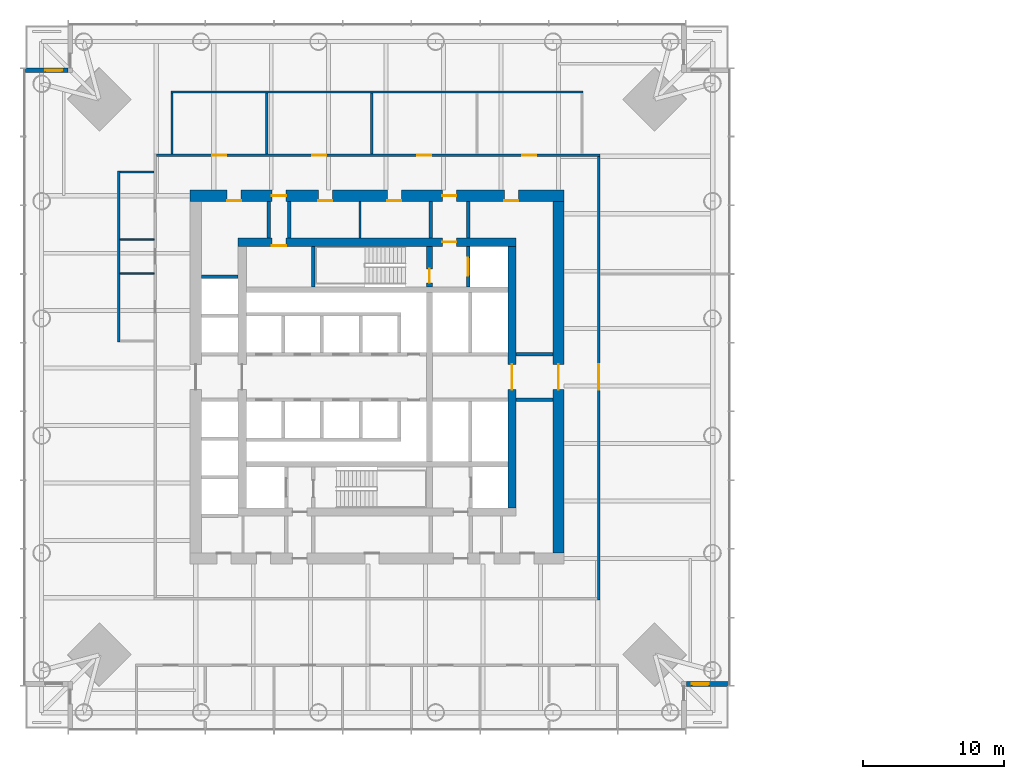
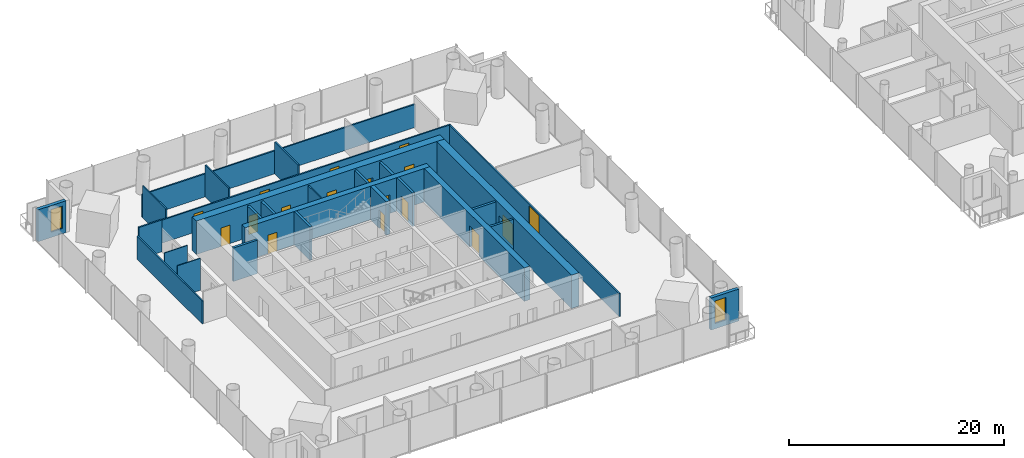
# One storey, part 11 of 19: 27 walls, 17 doors, 2 windows, 19 openings.
"""IFC4 building model written with IfcOpenShell, lengths in metres."""

import ifcopenshell
import ifcopenshell.guid

model = None  # the IFC model being written
_history = None  # IfcOwnerHistory: only IFC2X3 demands one
_inside = {}  # id of a spatial element -> (the spatial element, [elements in it])
_under = {}  # id of a project, library or spatial element -> (it, [spatial elements below it])
_declared = {}  # id of a project -> (the project, [libraries it declares])
_typed = {}  # id of a type object -> (the type object, [elements of that type])
_made_of = {}  # id of a material, layer set ... -> (it, [elements and type objects made of it])


def new_model(schema):
    """Start an empty IFC model of exactly this schema.

    Asked for "IFC4X3", IfcOpenShell would pick the latest addendum, in which some entities
    have other attributes; the version numbers below select the first issue.
    IFC2X3 requires an IfcOwnerHistory on every rooted entity: one is made here for all.
    """
    global model, _history
    if schema == "IFC4X3":
        model = ifcopenshell.file(schema_version=(4, 3, 0, 0))
    else:
        model = ifcopenshell.file(schema=schema)
    _inside.clear()
    _under.clear()
    _declared.clear()
    _typed.clear()
    _made_of.clear()
    _history = None
    if model.schema == "IFC2X3":
        org = make("IfcOrganization", Name="unknown")
        user = make(
            "IfcPersonAndOrganization",
            ThePerson=make("IfcPerson", FamilyName="unknown"),
            TheOrganization=org,
        )
        app = make(
            "IfcApplication",
            ApplicationDeveloper=org,
            Version="unknown",
            ApplicationFullName="unknown",
            ApplicationIdentifier="unknown",
        )
        _history = make(
            "IfcOwnerHistory",
            OwningUser=user,
            OwningApplication=app,
            ChangeAction="ADDED",
            CreationDate=0,
        )
    return model


def make(cls, **values):
    """One entity of the class cls with the attributes given. An attribute that is None is left unset."""
    return model.create_entity(
        cls, **{name: value for name, value in values.items() if value is not None}
    )


def rooted(cls, **values):
    """An entity with a GlobalId (a new one), such as an element, a storey or a relation."""
    return make(cls, GlobalId=ifcopenshell.guid.new(), OwnerHistory=_history, **values)


def si_unit(unit_type, name, prefix=None):
    """IfcSIUnit, for example si_unit("LENGTHUNIT", "METRE", prefix="MILLI")."""
    return make("IfcSIUnit", UnitType=unit_type, Prefix=prefix, Name=name)


def assignment(units):
    """IfcUnitAssignment: the units of a project."""
    return None if units is None else make("IfcUnitAssignment", Units=units)


def point(xyz):
    """IfcCartesianPoint."""
    return None if xyz is None else make("IfcCartesianPoint", Coordinates=xyz)


def direction(xyz):
    """IfcDirection."""
    return None if xyz is None else make("IfcDirection", DirectionRatios=xyz)


def frame(location, z_axis=None, x_axis=None):
    """IfcAxis2Placement3D, a coordinate frame: its origin and axes. An axis left out is left unset."""
    return make(
        "IfcAxis2Placement3D",
        Location=point(location),
        Axis=direction(z_axis),
        RefDirection=direction(x_axis),
    )


def frame_2d(location, x_axis=None):
    """IfcAxis2Placement2D, a coordinate frame in the plane: its origin and x axis."""
    return make(
        "IfcAxis2Placement2D", Location=point(location), RefDirection=direction(x_axis)
    )


def origin():
    """The frame at (0, 0, 0) with its axes left unset."""
    return frame((0.0, 0.0, 0.0))


def place(relative_to, where):
    """IfcLocalPlacement: puts the frame where relative to a parent placement (None: the world)."""
    return make(
        "IfcLocalPlacement", PlacementRelTo=relative_to, RelativePlacement=where
    )


def context(
    kind, dimensions, precision=None, world=None, true_north=None, identifier=None
):
    """IfcGeometricRepresentationContext, for example the 3D "Model" context."""
    return make(
        "IfcGeometricRepresentationContext",
        ContextIdentifier=identifier,
        ContextType=kind,
        CoordinateSpaceDimension=dimensions,
        Precision=precision,
        WorldCoordinateSystem=world,
        TrueNorth=true_north,
    )


def subcontext(parent, identifier, kind, view, scale=None):
    """IfcGeometricRepresentationSubContext, for example "Body" below "Model"."""
    return make(
        "IfcGeometricRepresentationSubContext",
        ContextIdentifier=identifier,
        ContextType=kind,
        ParentContext=parent,
        TargetScale=scale,
        TargetView=view,
    )


def project(units=None, contexts=None):
    """IfcProject with its units and contexts."""
    return rooted(
        "IfcProject",
        Name="project",
        RepresentationContexts=contexts,
        UnitsInContext=assignment(units),
    )


def spatial(cls, under=None, at=None, **own):
    """A site, building, storey or space (cls), placed at a placement, below another one or the project."""
    s = rooted(cls, ObjectPlacement=at, **own)
    if under is not None:
        _under.setdefault(under.id(), (under, []))[1].append(s)
    return s


def profile(cls, at=None, kind="AREA", **sizes):
    """A parametric profile (cls). Its sizes go by their IFC names, for example OverallWidth=200.0."""
    return make(cls, ProfileType=kind, Position=at, **sizes)


def rectangle(**sizes):
    """IfcRectangleProfileDef."""
    return profile("IfcRectangleProfileDef", **sizes)


def extrude(swept, where, along, depth):
    """IfcExtrudedAreaSolid: the profile swept, set in the frame where, extruded along a direction by depth."""
    return make(
        "IfcExtrudedAreaSolid",
        SweptArea=swept,
        Position=where,
        ExtrudedDirection=direction(along),
        Depth=depth,
    )


def shape(context_of_items, identifier, shape_type, items):
    """IfcShapeRepresentation: the items that make up one representation, for example the "Body"."""
    return make(
        "IfcShapeRepresentation",
        ContextOfItems=context_of_items,
        RepresentationIdentifier=identifier,
        RepresentationType=shape_type,
        Items=items,
    )


def material(Name=None, Category=None):
    """IfcMaterial."""
    return make("IfcMaterial", Name=Name, Category=Category)


def layer(
    of_material, thickness, ventilated=None, Name=None, Category=None, Priority=None
):
    """IfcMaterialLayer: one layer of a wall or slab, of a material (None: an air gap)."""
    return make(
        "IfcMaterialLayer",
        Material=of_material,
        LayerThickness=thickness,
        IsVentilated=ventilated,
        Name=Name,
        Category=Category,
        Priority=Priority,
    )


def layer_set(layers, Name=None):
    """IfcMaterialLayerSet."""
    return make("IfcMaterialLayerSet", MaterialLayers=layers, LayerSetName=Name)


def made_of(thing, what):
    """Note that an element or type object is made of a material, layer set ...; save() writes the relation."""
    if what is not None:
        _made_of.setdefault(what.id(), (what, []))[1].append(thing)
    return thing


def type_object(cls, material=None, **own):
    """A type object (cls), such as IfcWallType, which elements share."""
    return made_of(rooted(cls, **own), material)


def element(
    cls,
    number,
    at=None,
    inside=None,
    cuts=None,
    type_object=None,
    material=None,
    context=None,
    identifier="Body",
    shape_type=None,
    held_by="IfcProductDefinitionShape",
    body=None,
    shapes=None,
    **own,
):
    """One element of the class cls, such as IfcWall. Its Tag is "e" and its number.

    at: its placement. inside: the storey or other place that contains it. cuts: it is an
    opening in that element (IfcRelVoidsElement). A single representation is given by context,
    identifier, shape_type and body (its items); several are given by shapes. held_by: the class
    of the entity that holds the representations. save() writes the other relations.
    """
    e = rooted(cls, Tag="e%d" % number, ObjectPlacement=at, **own)
    if body is not None:
        shapes = [shape(context, identifier, shape_type, body)]
    if shapes is not None:
        e.Representation = make(held_by, Representations=shapes)
    if inside is not None:
        _inside.setdefault(inside.id(), (inside, []))[1].append(e)
    if cuts is not None:
        rooted(
            "IfcRelVoidsElement", RelatingBuildingElement=cuts, RelatedOpeningElement=e
        )
    if type_object is not None:
        _typed.setdefault(type_object.id(), (type_object, []))[1].append(e)
    return made_of(e, material)


def fill(opening, filler):
    """IfcRelFillsElement: the door or window that sits in an opening."""
    return rooted(
        "IfcRelFillsElement",
        RelatingOpeningElement=opening,
        RelatedBuildingElement=filler,
    )


def aggregate(whole, parts):
    """IfcRelAggregates: a whole, such as a stair, and the parts it consists of."""
    return rooted("IfcRelAggregates", RelatingObject=whole, RelatedObjects=parts)


def save(model, path):
    """Write the relations noted so far, then the file.

    IfcRelAggregates (storeys below a building ...), IfcRelContainedInSpatialStructure (elements
    in a storey), IfcRelDefinesByType, IfcRelAssociatesMaterial and IfcRelDeclares: one each for
    every whole, place, type object, material and project.
    """
    for whole, parts in _under.values():
        aggregate(whole, parts)
    for where, things in _inside.values():
        rooted(
            "IfcRelContainedInSpatialStructure",
            RelatedElements=things,
            RelatingStructure=where,
        )
    for kind, things in _typed.values():
        rooted("IfcRelDefinesByType", RelatedObjects=things, RelatingType=kind)
    for what, things in _made_of.values():
        rooted("IfcRelAssociatesMaterial", RelatedObjects=things, RelatingMaterial=what)
    for by, libraries in _declared.values():
        rooted("IfcRelDeclares", RelatingContext=by, RelatedDefinitions=libraries)
    model.write(path)


model = new_model("IFC4")

# Units and contexts
model_context = context("Model", 3, precision=1e-05, world=origin(), true_north=direction((0.0, 1.0)))
body_context = subcontext(model_context, "Body", "Model", "MODEL_VIEW")
ifc_project = project(units=[si_unit("LENGTHUNIT", "METRE"), si_unit("AREAUNIT", "SQUARE_METRE"), si_unit("VOLUMEUNIT", "CUBIC_METRE"), si_unit("PLANEANGLEUNIT", "RADIAN"), si_unit("MASSUNIT", "GRAM", prefix="KILO")], contexts=[model_context])

# Site, building, storey
site_placement = place(None, origin())
site = spatial("IfcSite", under=ifc_project, at=site_placement, CompositionType="ELEMENT")
building_placement = place(site_placement, origin())
building = spatial("IfcBuilding", under=site, at=building_placement, Name="Ostroluk Exchange", CompositionType="ELEMENT")
storey_placement = place(building_placement, frame((0.0, 0.0, 24.800048828125)))
storey = spatial("IfcBuildingStorey", under=building, at=storey_placement, Name="L05", CompositionType="ELEMENT", Elevation=24.800048828125)

# Walls
ifc_material_1 = material(Name="Concrete blockwork", Category="masonry")
ifc_layer_1 = layer(ifc_material_1, 0.10009765625)
ifc_layer_set_1 = layer_set([ifc_layer_1], Name="Blockwork WC wall 100")
wall_type_1 = type_object("IfcWallType", Name="Blockwork WC wall 100", PredefinedType="SOLIDWALL", material=ifc_layer_set_1)
for number, where, z_axis, x_axis, name in (
    (1, (29.14990234375, 55.77490234375, 0.0), (0.0, 0.0, 1.0), (-1.0, 0.0, 0.0), "Blockwork WC wall"),
    (2, (29.14990234375, 53.375, 0.0), (0.0, 0.0, 1.0), (-1.0, 0.0, 0.0), "Blockwork WC wall"),
):
    element("IfcWall", number, at=place(storey_placement, frame(where, z_axis=z_axis, x_axis=x_axis)), inside=storey, type_object=wall_type_1, Name=name, PredefinedType="SOLIDWALL", context=body_context, shape_type="SweptSolid", body=[
        extrude(rectangle(XDim=2.449951171875, YDim=0.10009765625, at=frame_2d((1.22509765625, 0.0))), origin(), (0.0, 0.0, 1.0), 3.619873046875),
    ])
ifc_material_2 = material(Name="Concrete blockwork", Category="masonry")
ifc_layer_2 = layer(ifc_material_2, 0.14990234375)
ifc_layer_set_2 = layer_set([ifc_layer_2], Name="Blockwork plant room wall 150")
wall_type_2 = type_object("IfcWallType", Name="Blockwork plant room wall 150", PredefinedType="SOLIDWALL", material=ifc_layer_set_2)
wall_1_placement = place(storey_placement, frame((43.777587890625, 55.89990234375, 0.0), z_axis=(0.0, 0.0, 1.0), x_axis=(0.0, 1.0, 0.0)))
element("IfcWall", 3, at=wall_1_placement, inside=storey, type_object=wall_type_2, Name="Core room wall", PredefinedType="SOLIDWALL", context=body_context, shape_type="SweptSolid", body=[
    extrude(rectangle(XDim=2.60009765625, YDim=0.14990234375, at=frame_2d((1.300048828125, 0.0))), origin(), (0.0, 0.0, 1.0), 3.619873046875),
])
ifc_material_3 = material(Name="Concrete blockwork", Category="masonry")
ifc_layer_3 = layer(ifc_material_3, 0.25)
ifc_layer_set_3 = layer_set([ifc_layer_3], Name="Blockwork stair enclosure wall 250")
wall_type_3 = type_object("IfcWallType", Name="Blockwork stair enclosure wall 250", PredefinedType="SOLIDWALL", material=ifc_layer_set_3)
for number, where, z_axis, x_axis, name in (
    (4, (48.804931640625, 55.89990234375, 0.0), (0.0, 0.0, 1.0), (0.0, 1.0, 0.0), "Fire lobby enclosure wall"),
    (5, (51.47509765625, 55.89990234375, 0.0), (0.0, 0.0, 1.0), (0.0, 1.0, 0.0), "Fire lobby enclosure wall"),
    (6, (54.89990234375, 44.375, 0.0), (0.0, 0.0, 1.0), (1.0, 0.0, 0.0), "Lift lobby enclosure wall"),
    (7, (54.89990234375, 47.625, 0.0), (0.0, 0.0, 1.0), (1.0, 0.0, 0.0), "Lift lobby enclosure wall"),
    (8, (37.300048828125, 55.89990234375, 0.0), (0.0, 0.0, 1.0), (0.0, 1.0, 0.0), "Core corridor wall"),
    (9, (38.75, 55.89990234375, 0.0), (0.0, 0.0, 1.0), (0.0, 1.0, 0.0), "Core corridor wall"),
):
    element("IfcWall", number, at=place(storey_placement, frame(where, z_axis=z_axis, x_axis=x_axis)), inside=storey, type_object=wall_type_3, Name=name, PredefinedType="SOLIDWALL", context=body_context, shape_type="SweptSolid", body=[
        extrude(rectangle(XDim=2.60009765625, YDim=0.25, at=frame_2d((1.300048828125, 0.0))), origin(), (0.0, 0.0, 1.0), 3.619873046875),
    ])

# Wall, opening, door
ifc_material_4 = material(Name="Concrete C50/60", Category="concrete")
ifc_layer_4 = layer(ifc_material_4, 0.39990234375)
ifc_layer_set_4 = layer_set([ifc_layer_4], Name="Core cross wall 400 C50/60")
wall_type_4 = type_object("IfcWallType", Name="Core cross wall 400 C50/60", PredefinedType="SHEAR", material=ifc_layer_set_4)
wall_2_placement = place(storey_placement, frame((48.72998046875, 52.39990234375, 0.0), z_axis=(0.0, 0.0, 1.0), x_axis=(0.0, 1.0, 0.0)))
wall_2 = element("IfcWall", 10, at=wall_2_placement, inside=storey, type_object=wall_type_4, Name="T1 core wall YE3", PredefinedType="SHEAR", context=body_context, shape_type="SweptSolid", body=[
    extrude(rectangle(XDim=2.900146484375, YDim=0.39990234375, at=frame_2d((1.4501953125, 0.0))), origin(), (0.0, 0.0, 1.0), 3.800048828125),
])
opening_1_placement = place(wall_2_placement, frame((0.300048828125, 0.0, 0.0)))
opening_1 = element("IfcOpeningElement", 11, at=opening_1_placement, cuts=wall_2, Name="Opening FD60", PredefinedType="OPENING", context=body_context, shape_type="SweptSolid", body=[
    extrude(rectangle(XDim=1.0, YDim=2.10009765625, at=frame_2d((0.5, 1.050048828125))), frame((0.0, 0.2099609375, 0.0), z_axis=(0.0, -1.0, 0.0), x_axis=(1.0, 0.0, 0.0)), (0.0, 0.0, 1.0), 0.419921875),
])
ifc_material_5 = material(Name="Steel", Category="steel")
door_type_1 = type_object("IfcDoorType", Name="Fire door EI 60 1000 x 2100", OperationType="SINGLE_SWING_LEFT", PredefinedType="DOOR", material=ifc_material_5)
door_1_placement = place(opening_1_placement, origin())
door_1 = element("IfcDoor", 12, at=door_1_placement, inside=storey, type_object=door_type_1, Name="Stair T1-S2 door", OperationType="SINGLE_SWING_LEFT", OverallHeight=2.10009765625, OverallWidth=1.0, PredefinedType="DOOR", context=body_context, shape_type="SweptSolid", body=[
    extrude(rectangle(XDim=1.0, YDim=2.10009765625, at=frame_2d((0.5, 1.050048828125))), frame((0.0, 0.02490234375, 0.0), z_axis=(0.0, -1.0, 0.0), x_axis=(1.0, 0.0, 0.0)), (0.0, 0.0, 1.0), 0.050048828125),
])
fill(opening_1, door_1)

# Wall
ifc_material_6 = material(Name="Concrete C40/50", Category="concrete")
ifc_layer_5 = layer(ifc_material_6, 0.25)
ifc_layer_set_5 = layer_set([ifc_layer_5], Name="Core shaft wall 250")
wall_type_5 = type_object("IfcWallType", Name="Core shaft wall 250", PredefinedType="SHEAR", material=ifc_layer_set_5)
wall_3_placement = place(storey_placement, frame((40.47509765625, 52.39990234375, 0.0), z_axis=(0.0, 0.0, 1.0), x_axis=(0.0, 1.0, 0.0)))
element("IfcWall", 13, at=wall_3_placement, inside=storey, type_object=wall_type_5, Name="Stair shaft wall", PredefinedType="SHEAR", context=body_context, shape_type="SweptSolid", body=[
    extrude(rectangle(XDim=2.900146484375, YDim=0.25, at=frame_2d((1.4501953125, 0.0))), origin(), (0.0, 0.0, 1.0), 3.800048828125),
])

# Wall, opening, door
wall_4_placement = place(storey_placement, frame((51.47509765625, 52.39990234375, 0.0), z_axis=(0.0, 0.0, 1.0), x_axis=(0.0, 1.0, 0.0)))
wall_4 = element("IfcWall", 14, at=wall_4_placement, inside=storey, type_object=wall_type_5, Name="Firefighting lift shaft wall", PredefinedType="SHEAR", context=body_context, shape_type="SweptSolid", body=[
    extrude(rectangle(XDim=2.900146484375, YDim=0.25, at=frame_2d((1.4501953125, 0.0))), origin(), (0.0, 0.0, 1.0), 3.800048828125),
])
opening_2_placement = place(wall_4_placement, frame((0.800048828125, 0.0, 0.0)))
opening_2 = element("IfcOpeningElement", 15, at=opening_2_placement, cuts=wall_4, Name="Opening LD2", PredefinedType="OPENING", context=body_context, shape_type="SweptSolid", body=[
    extrude(rectangle(XDim=1.300048828125, YDim=2.199951171875, at=frame_2d((0.64990234375, 1.10009765625))), frame((0.0, 0.135009765625, 0.0), z_axis=(0.0, -1.0, 0.0), x_axis=(1.0, 0.0, 0.0)), (0.0, 0.0, 1.0), 0.27001953125),
])
ifc_material_7 = material(Name="Stainless steel", Category="steel")
door_type_2 = type_object("IfcDoorType", Name="Lift landing door E 60 1300 x 2200", OperationType="DOUBLE_DOOR_SLIDING", PredefinedType="DOOR", material=ifc_material_7)
door_2_placement = place(opening_2_placement, origin())
door_2 = element("IfcDoor", 16, at=door_2_placement, inside=storey, type_object=door_type_2, Name="Lift FL2 landing door", OperationType="DOUBLE_DOOR_SLIDING", OverallHeight=2.199951171875, OverallWidth=1.300048828125, PredefinedType="DOOR", context=body_context, shape_type="SweptSolid", body=[
    extrude(rectangle(XDim=1.300048828125, YDim=2.199951171875, at=frame_2d((0.64990234375, 1.10009765625))), frame((0.0, 0.02490234375, 0.0), z_axis=(0.0, -1.0, 0.0), x_axis=(1.0, 0.0, 0.0)), (0.0, 0.0, 1.0), 0.050048828125),
])
fill(opening_2, door_2)

# Wall
wall_5_placement = place(storey_placement, frame((32.5, 53.125, 0.0), z_axis=(0.0, 0.0, 1.0), x_axis=(1.0, 0.0, 0.0)))
element("IfcWall", 17, at=wall_5_placement, inside=storey, type_object=wall_type_5, Name="Lift shaft wall", PredefinedType="SHEAR", context=body_context, shape_type="SweptSolid", body=[
    extrude(rectangle(XDim=2.60009765625, YDim=0.25, at=frame_2d((1.300048828125, 0.0))), origin(), (0.0, 0.0, 1.0), 3.800048828125),
])

# Wall, openings, doors
ifc_material_8 = material(Name="Concrete C50/60", Category="concrete")
ifc_layer_6 = layer(ifc_material_8, 0.60009765625)
ifc_layer_set_6 = layer_set([ifc_layer_6], Name="Core wall 600 C50/60")
wall_type_6 = type_object("IfcWallType", Name="Core wall 600 C50/60", PredefinedType="SHEAR", material=ifc_layer_set_6)
wall_6_placement = place(storey_placement, frame((35.10009765625, 55.60009765625, 0.0), z_axis=(0.0, 0.0, 1.0), x_axis=(1.0, 0.0, 0.0)))
wall_6 = element("IfcWall", 18, at=wall_6_placement, inside=storey, type_object=wall_type_6, Name="T1 core wall N", PredefinedType="SHEAR", context=body_context, shape_type="SweptSolid", body=[
    extrude(rectangle(XDim=19.7998046875, YDim=0.60009765625, at=frame_2d((9.89990234375, 0.0))), origin(), (0.0, 0.0, 1.0), 3.800048828125),
])
opening_3_placement = place(wall_6_placement, frame((14.5400390625, 0.0, 0.0)))
opening_3 = element("IfcOpeningElement", 19, at=opening_3_placement, cuts=wall_6, Name="Opening FD60", PredefinedType="OPENING", context=body_context, shape_type="SweptSolid", body=[
    extrude(rectangle(XDim=1.0, YDim=2.10009765625, at=frame_2d((0.5, 1.050048828125))), frame((0.0, 0.31005859375, 0.0), z_axis=(0.0, -1.0, 0.0), x_axis=(1.0, 0.0, 0.0)), (0.0, 0.0, 1.0), 0.6201171875),
])
opening_4_placement = place(wall_6_placement, frame((2.425048828125, 0.0, 0.0)))
opening_4 = element("IfcOpeningElement", 20, at=opening_4_placement, cuts=wall_6, Name="Opening FD60", PredefinedType="OPENING", context=body_context, shape_type="SweptSolid", body=[
    extrude(rectangle(XDim=1.0, YDim=2.10009765625, at=frame_2d((0.5, 1.050048828125))), frame((0.0, 0.31005859375, 0.0), z_axis=(0.0, -1.0, 0.0), x_axis=(1.0, 0.0, 0.0)), (0.0, 0.0, 1.0), 0.6201171875),
])
door_3_placement = place(opening_3_placement, origin())
door_3 = element("IfcDoor", 21, at=door_3_placement, inside=storey, type_object=door_type_1, Name="Firefighting lobby door", OperationType="SINGLE_SWING_RIGHT", OverallHeight=2.10009765625, OverallWidth=1.0, PredefinedType="DOOR", context=body_context, shape_type="SweptSolid", body=[
    extrude(rectangle(XDim=1.0, YDim=2.10009765625, at=frame_2d((0.5, 1.050048828125))), frame((0.0, 0.02490234375, 0.0), z_axis=(0.0, -1.0, 0.0), x_axis=(1.0, 0.0, 0.0)), (0.0, 0.0, 1.0), 0.050048828125),
])
fill(opening_3, door_3)
door_4_placement = place(opening_4_placement, origin())
door_4 = element("IfcDoor", 22, at=door_4_placement, inside=storey, type_object=door_type_1, Name="Tea point door", OperationType="SINGLE_SWING_LEFT", OverallHeight=2.10009765625, OverallWidth=1.0, PredefinedType="DOOR", context=body_context, shape_type="SweptSolid", body=[
    extrude(rectangle(XDim=1.0, YDim=2.10009765625, at=frame_2d((0.5, 1.050048828125))), frame((0.0, -0.23974609375, 0.0), z_axis=(0.0, -1.0, 0.0), x_axis=(1.0, 0.0, 0.0)), (0.0, 0.0, 1.0), 0.050048828125),
])
fill(opening_4, door_4)

# Wall, opening, door
wall_7_placement = place(storey_placement, frame((54.60009765625, 36.699951171875, 0.0), z_axis=(0.0, 0.0, 1.0), x_axis=(0.0, 1.0, 0.0)))
wall_7 = element("IfcWall", 23, at=wall_7_placement, inside=storey, type_object=wall_type_6, Name="T1 core wall E", PredefinedType="SHEAR", context=body_context, shape_type="SweptSolid", body=[
    extrude(rectangle(XDim=18.60009765625, YDim=0.60009765625, at=frame_2d((9.300048828125, 0.0))), origin(), (0.0, 0.0, 1.0), 3.800048828125),
])
opening_5_placement = place(wall_7_placement, frame((8.39990234375, 0.0, 0.0)))
opening_5 = element("IfcOpeningElement", 24, at=opening_5_placement, cuts=wall_7, Name="Opening FD30D", PredefinedType="OPENING", context=body_context, shape_type="SweptSolid", body=[
    extrude(rectangle(XDim=1.800048828125, YDim=2.39990234375, at=frame_2d((0.89990234375, 1.199951171875))), frame((0.0, 0.31005859375, 0.0), z_axis=(0.0, -1.0, 0.0), x_axis=(1.0, 0.0, 0.0)), (0.0, 0.0, 1.0), 0.6201171875),
])
ifc_material_9 = material(Name="Timber", Category="wood")
door_type_3 = type_object("IfcDoorType", Name="Lobby double door EI 30 1800 x 2400", OperationType="DOUBLE_DOOR_SINGLE_SWING", PredefinedType="DOOR", material=ifc_material_9)
door_5_placement = place(opening_5_placement, origin())
door_5 = element("IfcDoor", 25, at=door_5_placement, inside=storey, type_object=door_type_3, Name="Lift lobby doors", OperationType="DOUBLE_DOOR_SINGLE_SWING", OverallHeight=2.39990234375, OverallWidth=1.800048828125, PredefinedType="DOOR", context=body_context, shape_type="SweptSolid", body=[
    extrude(rectangle(XDim=1.800048828125, YDim=2.39990234375, at=frame_2d((0.89990234375, 1.199951171875))), frame((0.0, 0.02490234375, 0.0), z_axis=(0.0, -1.0, 0.0), x_axis=(1.0, 0.0, 0.0)), (0.0, 0.0, 1.0), 0.050048828125),
])
fill(opening_5, door_5)

# Wall, openings, doors
ifc_material_10 = material(Name="Concrete C50/60", Category="concrete")
ifc_layer_7 = layer(ifc_material_10, 0.800048828125)
ifc_layer_set_7 = layer_set([ifc_layer_7], Name="Core wall 800 C50/60")
wall_type_7 = type_object("IfcWallType", Name="Core wall 800 C50/60", PredefinedType="SHEAR", material=ifc_layer_set_7)
wall_8_placement = place(storey_placement, frame((31.699951171875, 58.89990234375, 0.0), z_axis=(0.0, 0.0, 1.0), x_axis=(1.0, 0.0, 0.0)))
wall_8 = element("IfcWall", 26, at=wall_8_placement, inside=storey, type_object=wall_type_7, Name="T1 core wall RN", PredefinedType="SHEAR", context=body_context, shape_type="SweptSolid", body=[
    extrude(rectangle(XDim=26.60009765625, YDim=0.800048828125, at=frame_2d((13.300048828125, 0.0))), origin(), (0.0, 0.0, 1.0), 3.800048828125),
])
opening_6_placement = place(wall_8_placement, frame((17.93994140625, 0.0, 0.0)))
opening_6 = element("IfcOpeningElement", 27, at=opening_6_placement, cuts=wall_8, Name="Opening FD60", PredefinedType="OPENING", context=body_context, shape_type="SweptSolid", body=[
    extrude(rectangle(XDim=1.0, YDim=2.10009765625, at=frame_2d((0.5, 1.050048828125))), frame((0.0, 0.409912109375, 0.0), z_axis=(0.0, -1.0, 0.0), x_axis=(1.0, 0.0, 0.0)), (0.0, 0.0, 1.0), 0.820068359375),
])
opening_7_placement = place(wall_8_placement, frame((5.824951171875, 0.0, 0.0)))
opening_7 = element("IfcOpeningElement", 28, at=opening_7_placement, cuts=wall_8, Name="Opening FD60", PredefinedType="OPENING", context=body_context, shape_type="SweptSolid", body=[
    extrude(rectangle(XDim=1.0, YDim=2.10009765625, at=frame_2d((0.5, 1.050048828125))), frame((0.0, 0.409912109375, 0.0), z_axis=(0.0, -1.0, 0.0), x_axis=(1.0, 0.0, 0.0)), (0.0, 0.0, 1.0), 0.820068359375),
])
opening_8_placement = place(wall_8_placement, frame((2.637451171875, 0.0, 0.0)))
opening_8 = element("IfcOpeningElement", 29, at=opening_8_placement, cuts=wall_8, Name="Opening FD60", PredefinedType="OPENING", context=body_context, shape_type="SweptSolid", body=[
    extrude(rectangle(XDim=1.0, YDim=2.10009765625, at=frame_2d((0.5, 1.050048828125))), frame((0.0, 0.409912109375, 0.0), z_axis=(0.0, -1.0, 0.0), x_axis=(1.0, 0.0, 0.0)), (0.0, 0.0, 1.0), 0.820068359375),
])
opening_9_placement = place(wall_8_placement, frame((9.126220703125, 0.0, 0.0)))
opening_9 = element("IfcOpeningElement", 30, at=opening_9_placement, cuts=wall_8, Name="Opening FD60", PredefinedType="OPENING", context=body_context, shape_type="SweptSolid", body=[
    extrude(rectangle(XDim=1.0, YDim=2.10009765625, at=frame_2d((0.5, 1.050048828125))), frame((0.0, 0.409912109375, 0.0), z_axis=(0.0, -1.0, 0.0), x_axis=(1.0, 0.0, 0.0)), (0.0, 0.0, 1.0), 0.820068359375),
])
opening_10_placement = place(wall_8_placement, frame((14.02880859375, 0.0, 0.0)))
opening_10 = element("IfcOpeningElement", 31, at=opening_10_placement, cuts=wall_8, Name="Opening FD60", PredefinedType="OPENING", context=body_context, shape_type="SweptSolid", body=[
    extrude(rectangle(XDim=1.0, YDim=2.10009765625, at=frame_2d((0.5, 1.050048828125))), frame((0.0, 0.409912109375, 0.0), z_axis=(0.0, -1.0, 0.0), x_axis=(1.0, 0.0, 0.0)), (0.0, 0.0, 1.0), 0.820068359375),
])
opening_11_placement = place(wall_8_placement, frame((22.35009765625, 0.0, 0.0)))
opening_11 = element("IfcOpeningElement", 32, at=opening_11_placement, cuts=wall_8, Name="Opening FD60", PredefinedType="OPENING", context=body_context, shape_type="SweptSolid", body=[
    extrude(rectangle(XDim=1.0, YDim=2.10009765625, at=frame_2d((0.5, 1.050048828125))), frame((0.0, 0.409912109375, 0.0), z_axis=(0.0, -1.0, 0.0), x_axis=(1.0, 0.0, 0.0)), (0.0, 0.0, 1.0), 0.820068359375),
])
door_6_placement = place(opening_6_placement, origin())
door_6 = element("IfcDoor", 33, at=door_6_placement, inside=storey, type_object=door_type_1, Name="Firefighting lobby door", OperationType="SINGLE_SWING_RIGHT", OverallHeight=2.10009765625, OverallWidth=1.0, PredefinedType="DOOR", context=body_context, shape_type="SweptSolid", body=[
    extrude(rectangle(XDim=1.0, YDim=2.10009765625, at=frame_2d((0.5, 1.050048828125))), frame((0.0, 0.02490234375, 0.0), z_axis=(0.0, -1.0, 0.0), x_axis=(1.0, 0.0, 0.0)), (0.0, 0.0, 1.0), 0.050048828125),
])
fill(opening_6, door_6)
door_7_placement = place(opening_7_placement, origin())
door_7 = element("IfcDoor", 34, at=door_7_placement, inside=storey, type_object=door_type_1, Name="Core corridor door", OperationType="SINGLE_SWING_LEFT", OverallHeight=2.10009765625, OverallWidth=1.0, PredefinedType="DOOR", context=body_context, shape_type="SweptSolid", body=[
    extrude(rectangle(XDim=1.0, YDim=2.10009765625, at=frame_2d((0.5, 1.050048828125))), frame((0.0, 0.02490234375, 0.0), z_axis=(0.0, -1.0, 0.0), x_axis=(1.0, 0.0, 0.0)), (0.0, 0.0, 1.0), 0.050048828125),
])
fill(opening_7, door_7)
door_8_placement = place(opening_8_placement, origin())
door_8 = element("IfcDoor", 35, at=door_8_placement, inside=storey, type_object=door_type_1, Name="Tenant IT room door", OperationType="SINGLE_SWING_LEFT", OverallHeight=2.10009765625, OverallWidth=1.0, PredefinedType="DOOR", context=body_context, shape_type="SweptSolid", body=[
    extrude(rectangle(XDim=1.0, YDim=2.10009765625, at=frame_2d((0.5, 1.050048828125))), frame((0.0, -0.33984375, 0.0), z_axis=(0.0, -1.0, 0.0), x_axis=(1.0, 0.0, 0.0)), (0.0, 0.0, 1.0), 0.050048828125),
])
fill(opening_8, door_8)
door_9_placement = place(opening_9_placement, origin())
door_9 = element("IfcDoor", 36, at=door_9_placement, inside=storey, type_object=door_type_1, Name="Print and post room door", OperationType="SINGLE_SWING_LEFT", OverallHeight=2.10009765625, OverallWidth=1.0, PredefinedType="DOOR", context=body_context, shape_type="SweptSolid", body=[
    extrude(rectangle(XDim=1.0, YDim=2.10009765625, at=frame_2d((0.5, 1.050048828125))), frame((0.0, -0.33984375, 0.0), z_axis=(0.0, -1.0, 0.0), x_axis=(1.0, 0.0, 0.0)), (0.0, 0.0, 1.0), 0.050048828125),
])
fill(opening_9, door_9)
door_10_placement = place(opening_10_placement, origin())
door_10 = element("IfcDoor", 37, at=door_10_placement, inside=storey, type_object=door_type_1, Name="Archive door", OperationType="SINGLE_SWING_RIGHT", OverallHeight=2.10009765625, OverallWidth=1.0, PredefinedType="DOOR", context=body_context, shape_type="SweptSolid", body=[
    extrude(rectangle(XDim=1.0, YDim=2.10009765625, at=frame_2d((0.5, 1.050048828125))), frame((0.0, -0.33984375, 0.0), z_axis=(0.0, -1.0, 0.0), x_axis=(1.0, 0.0, 0.0)), (0.0, 0.0, 1.0), 0.050048828125),
])
fill(opening_10, door_10)
door_11_placement = place(opening_11_placement, origin())
door_11 = element("IfcDoor", 38, at=door_11_placement, inside=storey, type_object=door_type_1, Name="First aid room door", OperationType="SINGLE_SWING_RIGHT", OverallHeight=2.10009765625, OverallWidth=1.0, PredefinedType="DOOR", context=body_context, shape_type="SweptSolid", body=[
    extrude(rectangle(XDim=1.0, YDim=2.10009765625, at=frame_2d((0.5, 1.050048828125))), frame((0.0, -0.33984375, 0.0), z_axis=(0.0, -1.0, 0.0), x_axis=(1.0, 0.0, 0.0)), (0.0, 0.0, 1.0), 0.050048828125),
])
fill(opening_11, door_11)

# Wall, opening, door
wall_9_placement = place(storey_placement, frame((57.89990234375, 33.5, 0.0), z_axis=(0.0, 0.0, 1.0), x_axis=(0.0, 1.0, 0.0)))
wall_9 = element("IfcWall", 39, at=wall_9_placement, inside=storey, type_object=wall_type_7, Name="T1 core wall RE", PredefinedType="SHEAR", context=body_context, shape_type="SweptSolid", body=[
    extrude(rectangle(XDim=25.0, YDim=0.800048828125, at=frame_2d((12.5, 0.0))), origin(), (0.0, 0.0, 1.0), 3.800048828125),
])
opening_12_placement = place(wall_9_placement, frame((11.60009765625, 0.0, 0.0)))
opening_12 = element("IfcOpeningElement", 40, at=opening_12_placement, cuts=wall_9, Name="Opening FD30D", PredefinedType="OPENING", context=body_context, shape_type="SweptSolid", body=[
    extrude(rectangle(XDim=1.800048828125, YDim=2.39990234375, at=frame_2d((0.89990234375, 1.199951171875))), frame((0.0, 0.409912109375, 0.0), z_axis=(0.0, -1.0, 0.0), x_axis=(1.0, 0.0, 0.0)), (0.0, 0.0, 1.0), 0.820068359375),
])
door_12_placement = place(opening_12_placement, origin())
door_12 = element("IfcDoor", 41, at=door_12_placement, inside=storey, type_object=door_type_3, Name="Lift lobby doors", OperationType="DOUBLE_DOOR_SINGLE_SWING", OverallHeight=2.39990234375, OverallWidth=1.800048828125, PredefinedType="DOOR", context=body_context, shape_type="SweptSolid", body=[
    extrude(rectangle(XDim=1.800048828125, YDim=2.39990234375, at=frame_2d((0.89990234375, 1.199951171875))), frame((0.0, 0.02490234375, 0.0), z_axis=(0.0, -1.0, 0.0), x_axis=(1.0, 0.0, 0.0)), (0.0, 0.0, 1.0), 0.050048828125),
])
fill(opening_12, door_12)

# Wall, opening, window
ifc_material_11 = material(Name="Limestone", Category="masonry")
ifc_layer_8 = layer(ifc_material_11, 0.35009765625)
ifc_layer_set_8 = layer_set([ifc_layer_8], Name="Limestone facade wall 350")
wall_type_8 = type_object("IfcWallType", Name="Limestone facade wall 350", PredefinedType="SOLIDWALL", material=ifc_layer_set_8)
wall_10_placement = place(storey_placement, frame((67.0, 24.175048828125, 0.0), z_axis=(0.0, 0.0, 1.0), x_axis=(1.0, 0.0, 0.0)))
wall_10 = element("IfcWall", 42, at=wall_10_placement, inside=storey, type_object=wall_type_8, Name="Office tower SE corner wall L05 b", PredefinedType="SOLIDWALL", context=body_context, shape_type="SweptSolid", body=[
    extrude(rectangle(XDim=3.0, YDim=0.35009765625, at=frame_2d((1.5, 0.0))), origin(), (0.0, 0.0, 1.0), 3.619873046875),
])
opening_13_placement = place(wall_10_placement, frame((0.39990234375, 0.0, 0.60009765625)))
opening_13 = element("IfcOpeningElement", 43, at=opening_13_placement, cuts=wall_10, Name="Opening WN-L1", PredefinedType="OPENING", context=body_context, shape_type="SweptSolid", body=[
    extrude(rectangle(XDim=1.199951171875, YDim=2.550048828125, at=frame_2d((0.60009765625, 1.27490234375))), frame((0.0, 0.18505859375, 0.0), z_axis=(0.0, -1.0, 0.0), x_axis=(1.0, 0.0, 0.0)), (0.0, 0.0, 1.0), 0.3701171875),
])
ifc_material_12 = material(Name="Laminated clear glass", Category="glass")
window_type = type_object("IfcWindowType", Name="Lancet window 1200 x 2550", PartitioningType="SINGLE_PANEL", PredefinedType="WINDOW", material=ifc_material_12)
window_1_placement = place(opening_13_placement, origin())
window_1 = element("IfcWindow", 44, at=window_1_placement, inside=storey, type_object=window_type, Name="Office tower SE lancet window L05", OverallHeight=2.550048828125, OverallWidth=1.199951171875, PartitioningType="SINGLE_PANEL", PredefinedType="WINDOW", context=body_context, shape_type="SweptSolid", body=[
    extrude(rectangle(XDim=1.199951171875, YDim=2.550048828125, at=frame_2d((0.60009765625, 1.27490234375))), frame((0.0, 0.030029296875, 0.0), z_axis=(0.0, -1.0, 0.0), x_axis=(1.0, 0.0, 0.0)), (0.0, 0.0, 1.0), 0.06005859375),
])
fill(opening_13, window_1)

wall_11_placement = place(storey_placement, frame((23.0, 67.824951171875, 0.0), z_axis=(0.0, 0.0, 1.0), x_axis=(-1.0, 0.0, 0.0)))
wall_11 = element("IfcWall", 45, at=wall_11_placement, inside=storey, type_object=wall_type_8, Name="Office tower NW corner wall L05 b", PredefinedType="SOLIDWALL", context=body_context, shape_type="SweptSolid", body=[
    extrude(rectangle(XDim=3.0, YDim=0.35009765625, at=frame_2d((1.5, 0.0))), origin(), (0.0, 0.0, 1.0), 3.619873046875),
])
opening_14_placement = place(wall_11_placement, frame((0.39990234375, 0.0, 0.60009765625)))
opening_14 = element("IfcOpeningElement", 46, at=opening_14_placement, cuts=wall_11, Name="Opening WN-L1", PredefinedType="OPENING", context=body_context, shape_type="SweptSolid", body=[
    extrude(rectangle(XDim=1.199951171875, YDim=2.550048828125, at=frame_2d((0.60009765625, 1.27490234375))), frame((0.0, 0.18505859375, 0.0), z_axis=(0.0, -1.0, 0.0), x_axis=(1.0, 0.0, 0.0)), (0.0, 0.0, 1.0), 0.3701171875),
])
window_2_placement = place(opening_14_placement, origin())
window_2 = element("IfcWindow", 47, at=window_2_placement, inside=storey, type_object=window_type, Name="Office tower NW lancet window L05", OverallHeight=2.550048828125, OverallWidth=1.199951171875, PartitioningType="SINGLE_PANEL", PredefinedType="WINDOW", context=body_context, shape_type="SweptSolid", body=[
    extrude(rectangle(XDim=1.199951171875, YDim=2.550048828125, at=frame_2d((0.60009765625, 1.27490234375))), frame((0.0, 0.030029296875, 0.0), z_axis=(0.0, -1.0, 0.0), x_axis=(1.0, 0.0, 0.0)), (0.0, 0.0, 1.0), 0.06005859375),
])
fill(opening_14, window_2)

# Walls
ifc_material_13 = material(Name="Gypsum plasterboard partition", Category="gypsum")
ifc_layer_9 = layer(ifc_material_13, 0.14990234375)
ifc_layer_set_9 = layer_set([ifc_layer_9], Name="Plasterboard partition 150")
wall_type_9 = type_object("IfcWallType", Name="Plasterboard partition 150", PredefinedType="PARTITIONING", material=ifc_layer_set_9)
for number, where, z_axis, x_axis, name in (
    (48, (44.626220703125, 61.85009765625, 0.0), (0.0, 0.0, 1.0), (0.0, 1.0, 0.0), "Partition"),
    (49, (37.15185546875, 61.85009765625, 0.0), (0.0, 0.0, 1.0), (0.0, 1.0, 0.0), "Partition"),
    (50, (30.425048828125, 61.85009765625, 0.0), (0.0, 0.0, 1.0), (0.0, 1.0, 0.0), "Partition"),
):
    element("IfcWall", number, at=place(storey_placement, frame(where, z_axis=z_axis, x_axis=x_axis)), inside=storey, type_object=wall_type_9, Name=name, PredefinedType="PARTITIONING", context=body_context, shape_type="SweptSolid", body=[
        extrude(rectangle(XDim=4.349853515625, YDim=0.14990234375, at=frame_2d((2.1748046875, 0.0))), origin(), (0.0, 0.0, 1.0), 3.619873046875),
    ])
wall_12_placement = place(storey_placement, frame((59.64990234375, 66.27490234375, 0.0), z_axis=(0.0, 0.0, 1.0), x_axis=(-1.0, 0.0, 0.0)))
element("IfcWall", 51, at=wall_12_placement, inside=storey, type_object=wall_type_9, Name="Partition", PredefinedType="PARTITIONING", context=body_context, shape_type="SweptSolid", body=[
    extrude(rectangle(XDim=29.2998046875, YDim=0.14990234375, at=frame_2d((14.64990234375, 0.0))), origin(), (0.0, 0.0, 1.0), 2.612060546875),
])

# Wall, opening, door
wall_13_placement = place(storey_placement, frame((60.77490234375, 30.14990234375, 0.0), z_axis=(0.0, 0.0, 1.0), x_axis=(0.0, 1.0, 0.0)))
wall_13 = element("IfcWall", 52, at=wall_13_placement, inside=storey, type_object=wall_type_9, Name="Corridor wall", PredefinedType="PARTITIONING", context=body_context, shape_type="SweptSolid", body=[
    extrude(rectangle(XDim=31.550048828125, YDim=0.14990234375, at=frame_2d((15.77490234375, 0.0))), origin(), (0.0, 0.0, 1.0), 2.612060546875),
])
opening_15_placement = place(wall_13_placement, frame((14.949951171875, 0.0, 0.0)))
opening_15 = element("IfcOpeningElement", 53, at=opening_15_placement, cuts=wall_13, Name="Opening D-04", PredefinedType="OPENING", context=body_context, shape_type="SweptSolid", body=[
    extrude(rectangle(XDim=1.800048828125, YDim=2.39990234375, at=frame_2d((0.89990234375, 1.199951171875))), frame((0.0, 0.0849609375, 0.0), z_axis=(0.0, -1.0, 0.0), x_axis=(1.0, 0.0, 0.0)), (0.0, 0.0, 1.0), 0.169921875),
])
ifc_material_14 = material(Name="Timber", Category="wood")
door_type_4 = type_object("IfcDoorType", Name="Double door 1800 x 2400", OperationType="DOUBLE_DOOR_SINGLE_SWING", PredefinedType="DOOR", material=ifc_material_14)
door_13_placement = place(opening_15_placement, origin())
door_13 = element("IfcDoor", 54, at=door_13_placement, inside=storey, type_object=door_type_4, Name="Open plan office door", OperationType="DOUBLE_DOOR_SINGLE_SWING", OverallHeight=2.39990234375, OverallWidth=1.800048828125, PredefinedType="DOOR", context=body_context, shape_type="SweptSolid", body=[
    extrude(rectangle(XDim=1.800048828125, YDim=2.39990234375, at=frame_2d((0.89990234375, 1.199951171875))), frame((0.0, 0.02490234375, 0.0), z_axis=(0.0, -1.0, 0.0), x_axis=(1.0, 0.0, 0.0)), (0.0, 0.0, 1.0), 0.050048828125),
])
fill(opening_15, door_13)

# Wall, openings, doors
wall_14_placement = place(storey_placement, frame((60.85009765625, 61.77490234375, 0.0), z_axis=(0.0, 0.0, 1.0), x_axis=(-1.0, 0.0, 0.0)))
wall_14 = element("IfcWall", 55, at=wall_14_placement, inside=storey, type_object=wall_type_9, Name="Corridor wall", PredefinedType="PARTITIONING", context=body_context, shape_type="SweptSolid", body=[
    extrude(rectangle(XDim=31.550048828125, YDim=0.14990234375, at=frame_2d((15.77490234375, 0.0))), origin(), (0.0, 0.0, 1.0), 2.612060546875),
])
opening_16_placement = place(wall_14_placement, frame((4.51220703125, 0.0, 0.0)))
opening_16 = element("IfcOpeningElement", 56, at=opening_16_placement, cuts=wall_14, Name="Opening D-03", PredefinedType="OPENING", context=body_context, shape_type="SweptSolid", body=[
    extrude(rectangle(XDim=1.0, YDim=2.10009765625, at=frame_2d((0.5, 1.050048828125))), frame((0.0, 0.0849609375, 0.0), z_axis=(0.0, -1.0, 0.0), x_axis=(1.0, 0.0, 0.0)), (0.0, 0.0, 1.0), 0.169921875),
])
opening_17_placement = place(wall_14_placement, frame((11.986572265625, 0.0, 0.0)))
opening_17 = element("IfcOpeningElement", 57, at=opening_17_placement, cuts=wall_14, Name="Opening D-03", PredefinedType="OPENING", context=body_context, shape_type="SweptSolid", body=[
    extrude(rectangle(XDim=1.0, YDim=2.10009765625, at=frame_2d((0.5, 1.050048828125))), frame((0.0, 0.0849609375, 0.0), z_axis=(0.0, -1.0, 0.0), x_axis=(1.0, 0.0, 0.0)), (0.0, 0.0, 1.0), 0.169921875),
])
opening_18_placement = place(wall_14_placement, frame((19.4609375, 0.0, 0.0)))
opening_18 = element("IfcOpeningElement", 58, at=opening_18_placement, cuts=wall_14, Name="Opening D-03", PredefinedType="OPENING", context=body_context, shape_type="SweptSolid", body=[
    extrude(rectangle(XDim=1.0, YDim=2.10009765625, at=frame_2d((0.5, 1.050048828125))), frame((0.0, 0.0849609375, 0.0), z_axis=(0.0, -1.0, 0.0), x_axis=(1.0, 0.0, 0.0)), (0.0, 0.0, 1.0), 0.169921875),
])
opening_19_placement = place(wall_14_placement, frame((26.5615234375, 0.0, 0.0)))
opening_19 = element("IfcOpeningElement", 59, at=opening_19_placement, cuts=wall_14, Name="Opening D-03", PredefinedType="OPENING", context=body_context, shape_type="SweptSolid", body=[
    extrude(rectangle(XDim=1.0, YDim=2.10009765625, at=frame_2d((0.5, 1.050048828125))), frame((0.0, 0.0849609375, 0.0), z_axis=(0.0, -1.0, 0.0), x_axis=(1.0, 0.0, 0.0)), (0.0, 0.0, 1.0), 0.169921875),
])
ifc_material_15 = material(Name="Timber", Category="wood")
door_type_5 = type_object("IfcDoorType", Name="Internal door 1000 x 2100", OperationType="SINGLE_SWING_LEFT", PredefinedType="DOOR", material=ifc_material_15)
door_14_placement = place(opening_16_placement, origin())
door_14 = element("IfcDoor", 60, at=door_14_placement, inside=storey, type_object=door_type_5, Name="Client meeting room door", OperationType="SINGLE_SWING_LEFT", OverallHeight=2.10009765625, OverallWidth=1.0, PredefinedType="DOOR", context=body_context, shape_type="SweptSolid", body=[
    extrude(rectangle(XDim=1.0, YDim=2.10009765625, at=frame_2d((0.5, 1.050048828125))), frame((0.0, 0.02490234375, 0.0), z_axis=(0.0, -1.0, 0.0), x_axis=(1.0, 0.0, 0.0)), (0.0, 0.0, 1.0), 0.050048828125),
])
fill(opening_16, door_14)
door_15_placement = place(opening_17_placement, origin())
door_15 = element("IfcDoor", 61, at=door_15_placement, inside=storey, type_object=door_type_5, Name="Client meeting room door", OperationType="SINGLE_SWING_LEFT", OverallHeight=2.10009765625, OverallWidth=1.0, PredefinedType="DOOR", context=body_context, shape_type="SweptSolid", body=[
    extrude(rectangle(XDim=1.0, YDim=2.10009765625, at=frame_2d((0.5, 1.050048828125))), frame((0.0, 0.02490234375, 0.0), z_axis=(0.0, -1.0, 0.0), x_axis=(1.0, 0.0, 0.0)), (0.0, 0.0, 1.0), 0.050048828125),
])
fill(opening_17, door_15)
door_16_placement = place(opening_18_placement, origin())
door_16 = element("IfcDoor", 62, at=door_16_placement, inside=storey, type_object=door_type_5, Name="Client meeting room door", OperationType="SINGLE_SWING_RIGHT", OverallHeight=2.10009765625, OverallWidth=1.0, PredefinedType="DOOR", context=body_context, shape_type="SweptSolid", body=[
    extrude(rectangle(XDim=1.0, YDim=2.10009765625, at=frame_2d((0.5, 1.050048828125))), frame((0.0, 0.02490234375, 0.0), z_axis=(0.0, -1.0, 0.0), x_axis=(1.0, 0.0, 0.0)), (0.0, 0.0, 1.0), 0.050048828125),
])
fill(opening_18, door_16)
door_17_placement = place(opening_19_placement, origin())
door_17 = element("IfcDoor", 63, at=door_17_placement, inside=storey, type_object=door_type_5, Name="Pantry door", OperationType="SINGLE_SWING_RIGHT", OverallHeight=2.10009765625, OverallWidth=1.0, PredefinedType="DOOR", context=body_context, shape_type="SweptSolid", body=[
    extrude(rectangle(XDim=1.0, YDim=2.10009765625, at=frame_2d((0.5, 1.050048828125))), frame((0.0, 0.02490234375, 0.0), z_axis=(0.0, -1.0, 0.0), x_axis=(1.0, 0.0, 0.0)), (0.0, 0.0, 1.0), 0.050048828125),
])
fill(opening_19, door_17)

# Walls
ifc_material_16 = material(Name="Gypsum plasterboard partition, moisture resistant", Category="gypsum")
ifc_layer_10 = layer(ifc_material_16, 0.14990234375)
ifc_layer_set_10 = layer_set([ifc_layer_10], Name="Plasterboard toilet partition 150")
wall_type_10 = type_object("IfcWallType", Name="Plasterboard toilet partition 150", PredefinedType="PARTITIONING", material=ifc_layer_set_10)
wall_15_placement = place(storey_placement, frame((26.625, 60.64990234375, 0.0), z_axis=(0.0, 0.0, 1.0), x_axis=(0.0, -1.0, 0.0)))
element("IfcWall", 64, at=wall_15_placement, inside=storey, type_object=wall_type_10, Name="Toilet partition", PredefinedType="PARTITIONING", context=body_context, shape_type="SweptSolid", body=[
    extrude(rectangle(XDim=12.14990234375, YDim=0.14990234375, at=frame_2d((6.074951171875, 0.0))), origin(), (0.0, 0.0, 1.0), 2.612060546875),
])
wall_16_placement = place(storey_placement, frame((29.14990234375, 60.574951171875, 0.0), z_axis=(0.0, 0.0, 1.0), x_axis=(-1.0, 0.0, 0.0)))
element("IfcWall", 65, at=wall_16_placement, inside=storey, type_object=wall_type_10, Name="Toilet partition", PredefinedType="PARTITIONING", context=body_context, shape_type="SweptSolid", body=[
    extrude(rectangle(XDim=2.449951171875, YDim=0.14990234375, at=frame_2d((1.22509765625, 0.0))), origin(), (0.0, 0.0, 1.0), 3.619873046875),
])

save(model, "model.ifc")
